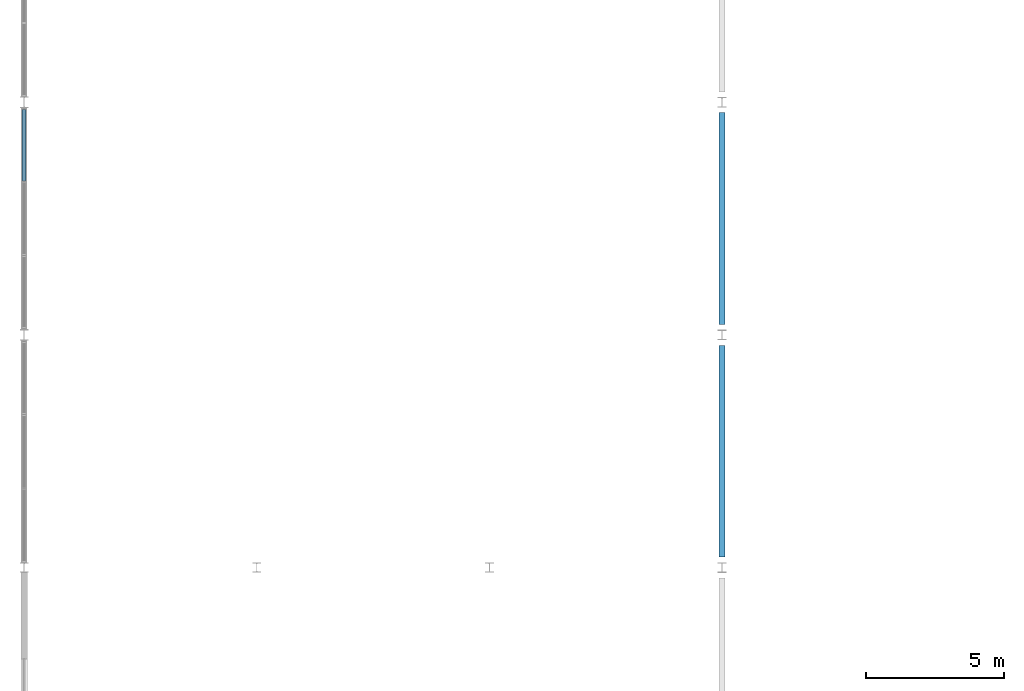
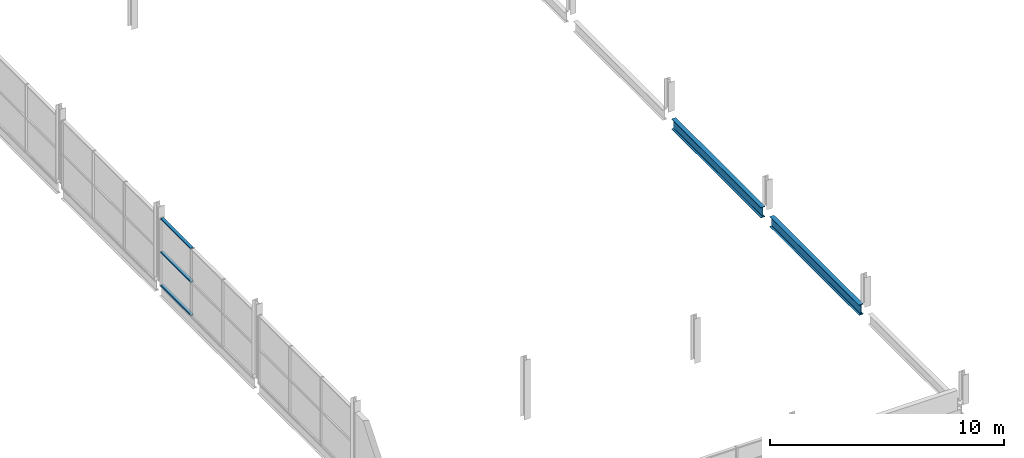
# One storey, part 11 of 43: 3 members, 2 beams, 1 element without a shape of its own.
"""IFC4 building model written with IfcOpenShell, lengths in metres."""

from ifc_helpers import new_model, si_unit, direction, frame, origin, origin_2d, place, context, subcontext, project, spatial, hollow_rectangle, i_section, extrude, material, material_profile, profile_set, type_object, element, aggregate, save


model = new_model("IFC4")

# Units and contexts
model_context = context("Model", 3, precision=1e-05, world=origin(), true_north=direction((0.0, 1.0)))
body_context = subcontext(model_context, "Body", "Model", "MODEL_VIEW")
ifc_project = project(units=[si_unit("LENGTHUNIT", "METRE"), si_unit("AREAUNIT", "SQUARE_METRE"), si_unit("VOLUMEUNIT", "CUBIC_METRE"), si_unit("PLANEANGLEUNIT", "RADIAN"), si_unit("MASSUNIT", "GRAM", prefix="KILO"), si_unit("THERMODYNAMICTEMPERATUREUNIT", "KELVIN")], contexts=[model_context])

# Site, building, storey
site_placement = place(None, origin())
site = spatial("IfcSite", under=ifc_project, at=site_placement, CompositionType="ELEMENT")
building_placement = place(site_placement, origin())
building = spatial("IfcBuilding", under=site, at=building_placement, Name="Nduvali Passage Aquatics Centre", CompositionType="ELEMENT")
storey_placement = place(building_placement, frame((0.0, 0.0, 17.39990234375)))
storey = spatial("IfcBuildingStorey", under=building, at=storey_placement, Name="L04", CompositionType="ELEMENT", Elevation=17.39990234375)

# Curtain wall, members
ifc_material_1 = material(Name="Aluminium EN AW-6063 T6", Category="aluminium")
curtain_wall_type = type_object("IfcCurtainWallType", Name="ENV-CW-DIVE", PredefinedType="NOTDEFINED", material=ifc_material_1)
curtain_wall_placement = place(storey_placement, origin())
curtain_wall = element("IfcCurtainWall", 1, at=curtain_wall_placement, inside=storey, type_object=curtain_wall_type, Name="L04 West Diving Upper Roof Clerestory CW 136", PredefinedType="NOTDEFINED")
ifc_material_profile_1 = material_profile(ifc_material_1, hollow_rectangle(XDim=0.14990234375, YDim=0.06005859375, WallThickness=0.00390625, at=origin_2d()), Name="ALU TRANSOM 150x60x4")
ifc_profile_set_1 = profile_set([ifc_material_profile_1], Name="Aluminium EN AW-6063 T6")
member_type = type_object("IfcMemberType", Name="ENV-MEM-TRN80", PredefinedType="USERDEFINED", material=ifc_profile_set_1)
member_1_placement = place(storey_placement, frame((0.0, 55.96337890625, -0.199951171875), z_axis=(0.0, 1.0, 0.0), x_axis=(-1.0, 0.0, 0.0)))
member_1 = element("IfcMember", 2, at=member_1_placement, type_object=member_type, Name="West Diving Upper Roof Clerestory CW Transom B3-R0", ObjectType="TRANSOM", PredefinedType="USERDEFINED", context=body_context, shape_type="SweptSolid", body=[
    extrude(hollow_rectangle(XDim=0.14990234375, YDim=0.06005859375, WallThickness=0.00390625, at=origin_2d()), origin(), (0.0, 0.0, 1.0), 2.57666015625),
])
member_2_placement = place(storey_placement, frame((0.0, 55.96337890625, 1.5400390625), z_axis=(0.0, 1.0, 0.0), x_axis=(-1.0, 0.0, 0.0)))
member_2 = element("IfcMember", 3, at=member_2_placement, type_object=member_type, Name="West Diving Upper Roof Clerestory CW Transom B3-R1", ObjectType="TRANSOM", PredefinedType="USERDEFINED", context=body_context, shape_type="SweptSolid", body=[
    extrude(hollow_rectangle(XDim=0.14990234375, YDim=0.06005859375, WallThickness=0.00390625, at=origin_2d()), origin(), (0.0, 0.0, 1.0), 2.57666015625),
])
member_3_placement = place(storey_placement, frame((0.0, 55.96337890625, 3.280029296875), z_axis=(0.0, 1.0, 0.0), x_axis=(-1.0, 0.0, 0.0)))
member_3 = element("IfcMember", 4, at=member_3_placement, type_object=member_type, Name="West Diving Upper Roof Clerestory CW Transom B3-R2", ObjectType="TRANSOM", PredefinedType="USERDEFINED", context=body_context, shape_type="SweptSolid", body=[
    extrude(hollow_rectangle(XDim=0.14990234375, YDim=0.06005859375, WallThickness=0.00390625, at=origin_2d()), origin(), (0.0, 0.0, 1.0), 2.57666015625),
])
aggregate(curtain_wall, [member_1, member_2, member_3])

# Beams
ifc_material_2 = material(Name="Steel S355", Category="steel")
ifc_material_profile_2 = material_profile(ifc_material_2, i_section(OverallWidth=0.210693359375, OverallDepth=0.53955078125, WebThickness=0.01171875, FlangeThickness=0.018798828125, FilletRadius=0.0126953125, at=origin_2d()), Name="UKB 533x210x109")
ifc_profile_set_2 = profile_set([ifc_material_profile_2], Name="Steel S355")
beam_type = type_object("IfcBeamType", Name="STR-BM-UKB533-EXT", PredefinedType="BEAM", material=ifc_profile_set_2)
beam_1_placement = place(storey_placement, frame((25.199951171875, 42.375, -0.503662109375), z_axis=(0.0, 1.0, 0.0), x_axis=(-1.0, 0.0, 0.0)))
element("IfcBeam", 5, at=beam_1_placement, inside=storey, type_object=beam_type, Name="L04 Primary Y-Girder B6E-1365", PredefinedType="BEAM", context=body_context, shape_type="SweptSolid", body=[
    extrude(i_section(OverallWidth=0.210693359375, OverallDepth=0.53955078125, WebThickness=0.01171875, FlangeThickness=0.018798828125, FilletRadius=0.0126953125, at=origin_2d()), origin(), (0.0, 0.0, 1.0), 7.64990234375),
])
beam_2_placement = place(storey_placement, frame((25.199951171875, 50.77490234375, -0.503662109375), z_axis=(0.0, 1.0, 0.0), x_axis=(-1.0, 0.0, 0.0)))
element("IfcBeam", 6, at=beam_2_placement, inside=storey, type_object=beam_type, Name="L04 Primary Y-Girder B6E-1366", PredefinedType="BEAM", context=body_context, shape_type="SweptSolid", body=[
    extrude(i_section(OverallWidth=0.210693359375, OverallDepth=0.53955078125, WebThickness=0.01171875, FlangeThickness=0.018798828125, FilletRadius=0.0126953125, at=origin_2d()), origin(), (0.0, 0.0, 1.0), 7.650146484375),
])

save(model, "model.ifc")
